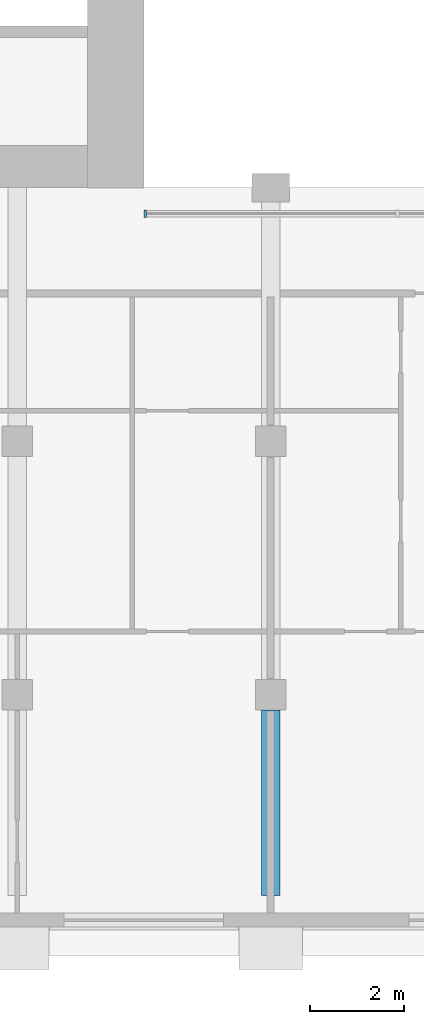
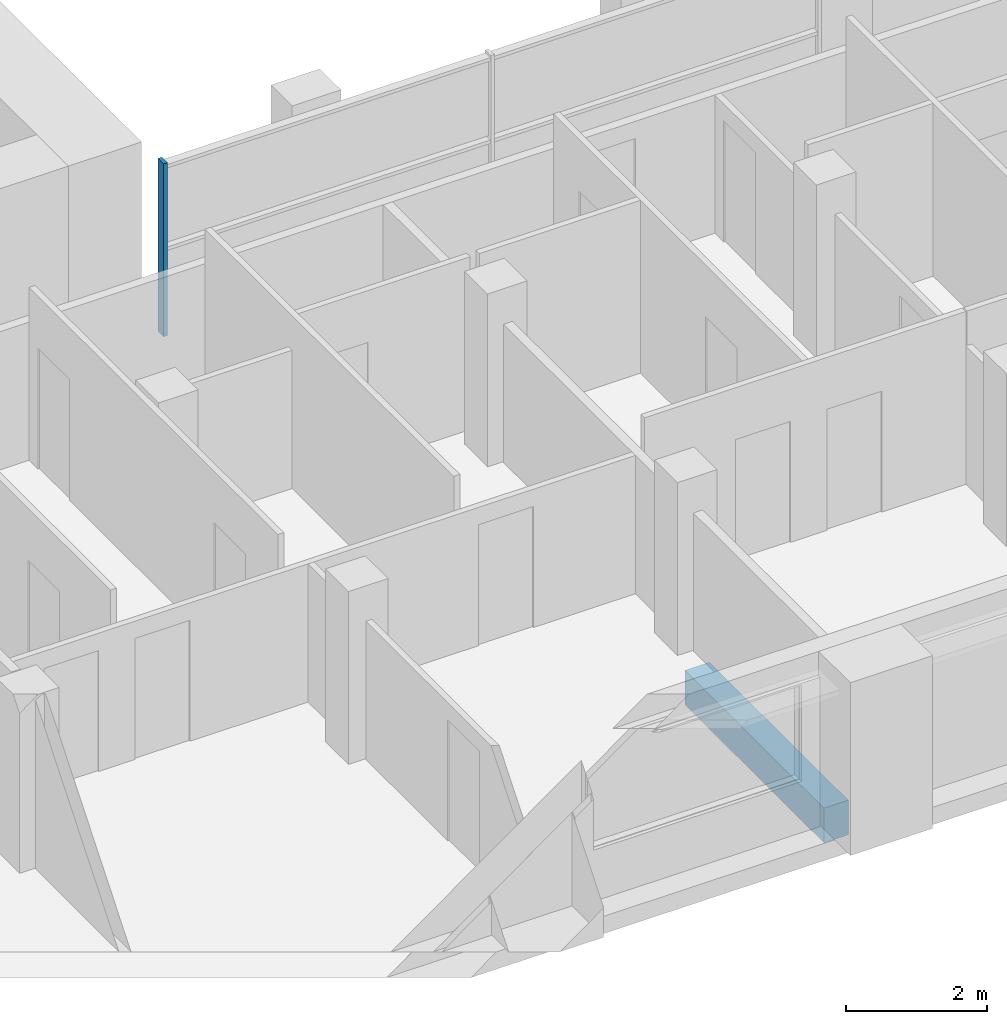
# One storey, part 2 of 16: 1 beam, 1 member, 1 element without a shape of its own.
"""IFC4 building model written with IfcOpenShell, lengths in metres."""

from ifc_helpers import new_model, si_unit, direction, frame, origin, origin_2d, place, context, subcontext, project, spatial, rectangle, extrude, material, material_profile, profile_set, type_object, element, aggregate, save


model = new_model("IFC4")

# Units and contexts
model_context = context("Model", 3, precision=1e-05, world=origin(), true_north=direction((0.0, 1.0)))
body_context = subcontext(model_context, "Body", "Model", "MODEL_VIEW")
ifc_project = project(units=[si_unit("LENGTHUNIT", "METRE"), si_unit("AREAUNIT", "SQUARE_METRE"), si_unit("VOLUMEUNIT", "CUBIC_METRE"), si_unit("PLANEANGLEUNIT", "RADIAN"), si_unit("MASSUNIT", "GRAM", prefix="KILO")], contexts=[model_context])

# Site, building, storey
site_placement = place(None, origin())
site = spatial("IfcSite", under=ifc_project, at=site_placement, CompositionType="ELEMENT")
building_placement = place(site_placement, origin())
building = spatial("IfcBuilding", under=site, at=building_placement, Name="Tabaq Tower and Sports Hall", CompositionType="ELEMENT")
storey_placement = place(building_placement, frame((0.0, 0.0, 268.60009765625)))
storey = spatial("IfcBuildingStorey", under=building, at=storey_placement, Name="L65", CompositionType="ELEMENT", Elevation=268.60009765625)

# Curtain wall, member
ifc_material_1 = material(Name="Aluminium alloy 6063-T6 framed glazing", Category="aluminium")
curtain_wall_type = type_object("IfcCurtainWallType", Name="CW1 curtain wall", PredefinedType="USERDEFINED", material=ifc_material_1)
curtain_wall_placement = place(storey_placement, origin())
curtain_wall = element("IfcCurtainWall", 1, at=curtain_wall_placement, inside=storey, type_object=curtain_wall_type, Name="Atrium glazing L65 S", ObjectType="ATRIUM ENCLOSURE", PredefinedType="USERDEFINED")
ifc_material_2 = material(Name="Aluminium alloy 6063-T6", Category="aluminium")
ifc_material_profile_1 = material_profile(ifc_material_2, rectangle(XDim=0.159912109375, YDim=0.06005859375, at=origin_2d()), Name="MULLION 160x60")
ifc_profile_set_1 = profile_set([ifc_material_profile_1], Name="Aluminium alloy 6063-T6")
member_type = type_object("IfcMemberType", Name="CW1 mullion 160x60", PredefinedType="MULLION", material=ifc_profile_set_1)
member_placement = place(storey_placement, frame((18.929931640625, 15.64990234375, 0.0), z_axis=(0.0, 0.0, 1.0), x_axis=(0.0, 1.0, 0.0)))
member = element("IfcMember", 2, at=member_placement, type_object=member_type, Name="CW1 mullion 1", PredefinedType="MULLION", context=body_context, shape_type="SweptSolid", body=[
    extrude(rectangle(XDim=0.159912109375, YDim=0.06005859375, at=origin_2d()), origin(), (0.0, 0.0, 1.0), 3.0),
])
aggregate(curtain_wall, [member])

# Beam
ifc_material_3 = material(Name="Concrete C40/50", Category="concrete")
ifc_material_profile_2 = material_profile(ifc_material_3, rectangle(XDim=0.39990234375, YDim=0.60009765625, at=origin_2d()), Name="CB 400x600")
ifc_profile_set_2 = profile_set([ifc_material_profile_2], Name="Concrete C40/50")
beam_type = type_object("IfcBeamType", Name="PT CANTILEVER BEAM CB 400x600 C40/50", PredefinedType="BEAM", material=ifc_profile_set_2)
beam_placement = place(storey_placement, frame((21.60009765625, 1.125, -0.60009765625), z_axis=(0.0, 1.0, 0.0), x_axis=(-1.0, 0.0, 0.0)))
element("IfcBeam", 3, at=beam_placement, inside=storey, type_object=beam_type, Name="Cantilever Beam L65 S4 span 1", PredefinedType="BEAM", context=body_context, shape_type="SweptSolid", body=[
    extrude(rectangle(XDim=0.39990234375, YDim=0.60009765625, at=origin_2d()), origin(), (0.0, 0.0, 1.0), 3.949951171875),
])

save(model, "model.ifc")
